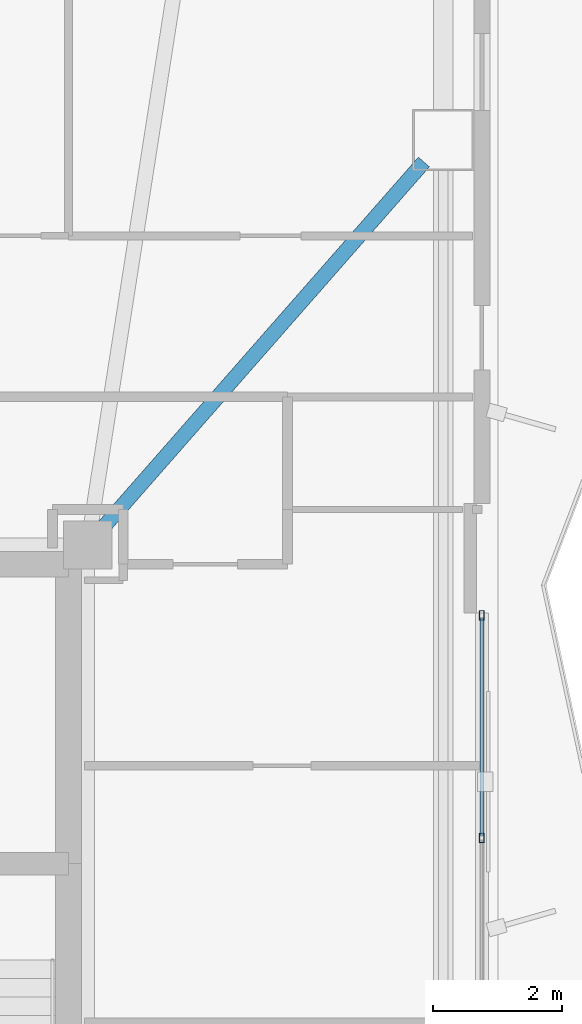
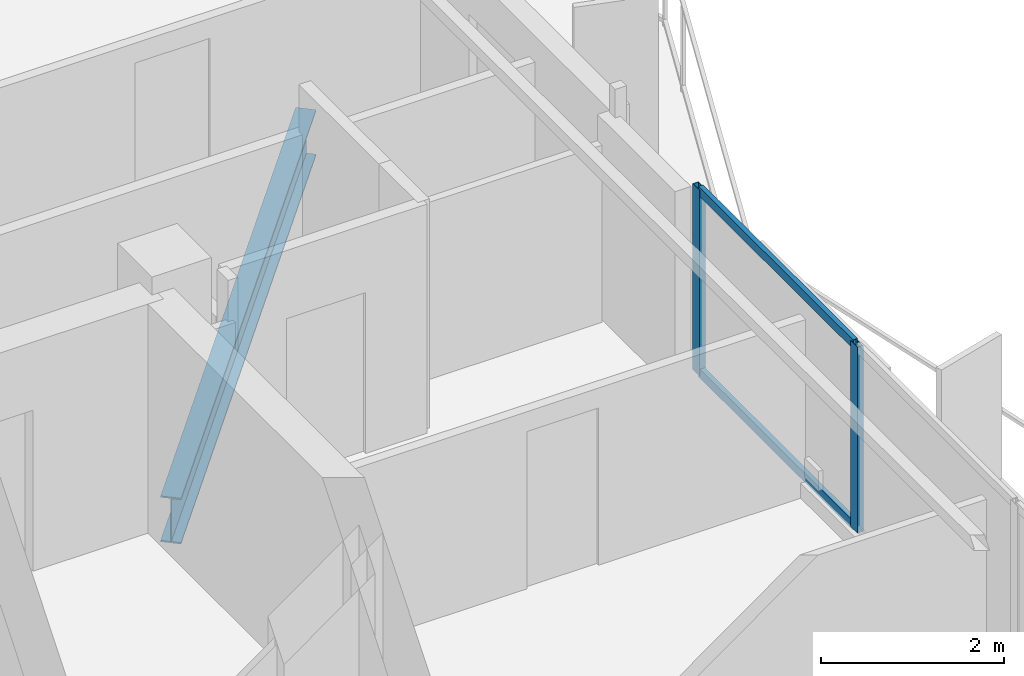
# One storey, part 9 of 18: 4 members, 1 beam, 1 element without a shape of its own.
"""IFC4 building model written with IfcOpenShell, lengths in metres."""

from ifc_helpers import new_model, si_unit, direction, frame, origin, origin_2d, place, context, subcontext, project, spatial, hollow_rectangle, i_section, extrude, material, layer, layer_set, material_profile, profile_set, type_object, element, aggregate, save


model = new_model("IFC4")

# Units and contexts
model_context = context("Model", 3, precision=1e-05, world=origin(), true_north=direction((0.0, 1.0)))
body_context = subcontext(model_context, "Body", "Model", "MODEL_VIEW")
ifc_project = project(units=[si_unit("LENGTHUNIT", "METRE"), si_unit("AREAUNIT", "SQUARE_METRE"), si_unit("VOLUMEUNIT", "CUBIC_METRE"), si_unit("PLANEANGLEUNIT", "RADIAN"), si_unit("MASSUNIT", "GRAM", prefix="KILO")], contexts=[model_context])

# Site, building, storey
site_placement = place(None, origin())
site = spatial("IfcSite", under=ifc_project, at=site_placement, CompositionType="ELEMENT")
building_placement = place(site_placement, origin())
building = spatial("IfcBuilding", under=site, at=building_placement, Name="Mersakhor Tower and Convention Hall", CompositionType="ELEMENT")
storey_placement = place(building_placement, frame((0.0, 0.0, 134.39990234375)))
storey = spatial("IfcBuildingStorey", under=building, at=storey_placement, Name="L37", CompositionType="ELEMENT", Elevation=134.39990234375)

# Beam
ifc_material_1 = material(Name="Steel S355", Category="steel")
ifc_material_profile_1 = material_profile(ifc_material_1, i_section(OverallWidth=0.22900390625, OverallDepth=0.6123046875, WebThickness=0.011962890625, FlangeThickness=0.01953125, at=origin_2d()), Name="UB 610x229x125")
ifc_profile_set_1 = profile_set([ifc_material_profile_1], Name="Steel S355")
beam_type = type_object("IfcBeamType", Name="BM-PR-610", PredefinedType="BEAM", material=ifc_profile_set_1)
beam_placement = place(storey_placement, frame((36.334228515625, 33.31689453125, -0.5458984375), z_axis=(0.65963831109, 0.751583194691, 0.0), x_axis=(-0.751583194691, 0.65963831109, 0.0)))
element("IfcBeam", 1, at=beam_placement, inside=storey, type_object=beam_type, Name="L37 Primary Floor Girder FG-3", PredefinedType="BEAM", context=body_context, shape_type="SweptSolid", body=[
    extrude(i_section(OverallWidth=0.22900390625, OverallDepth=0.6123046875, WebThickness=0.011962890625, FlangeThickness=0.01953125, at=origin_2d()), origin(), (0.0, 0.0, 1.0), 7.556884765625),
])

# Curtain wall, members
ifc_material_2 = material(Name="Dark solar low-E aluminium curtain wall", Category="aluminium")
ifc_layer = layer(ifc_material_2, 0.169921875)
ifc_layer_set = layer_set([ifc_layer], Name="Dark solar low-E aluminium curtain wall")
curtain_wall_type = type_object("IfcCurtainWallType", Name="CW-SYS-02", PredefinedType="USERDEFINED", material=ifc_layer_set)
curtain_wall_placement = place(storey_placement, origin())
curtain_wall = element("IfcCurtainWall", 2, at=curtain_wall_placement, inside=storey, type_object=curtain_wall_type, Name="L37 Dark-Glass Curtain Wall F2-B2", ObjectType="CURTAIN WALL", PredefinedType="USERDEFINED")
ifc_material_3 = material(Name="Anodised aluminium EN AW-6063 T6", Category="aluminium")
ifc_material_profile_2 = material_profile(ifc_material_3, hollow_rectangle(XDim=0.074951171875, YDim=0.14990234375, WallThickness=0.00634765625, at=origin_2d()), Name="RHS 150x75x6.3")
ifc_profile_set_2 = profile_set([ifc_material_profile_2], Name="Anodised aluminium EN AW-6063 T6")
member_type_1 = type_object("IfcMemberType", Name="CWM-150x75", PredefinedType="MULLION", material=ifc_profile_set_2)
member_1_placement = place(storey_placement, frame((42.21923828125, 31.95556640625, 0.2001953125), z_axis=(0.0, 0.0, 1.0), x_axis=(1.0, 0.0, 0.0)))
member_1 = element("IfcMember", 3, at=member_1_placement, type_object=member_type_1, Name="CW-02 mullion 1", PredefinedType="MULLION", context=body_context, shape_type="SweptSolid", body=[
    extrude(hollow_rectangle(XDim=0.074951171875, YDim=0.14990234375, WallThickness=0.00634765625, at=origin_2d()), origin(), (0.0, 0.0, 1.0), 2.47998046875),
])
member_2_placement = place(storey_placement, frame((42.21923828125, 28.49755859375, 0.2001953125), z_axis=(0.0, 0.0, 1.0), x_axis=(1.0, 0.0, 0.0)))
member_2 = element("IfcMember", 4, at=member_2_placement, type_object=member_type_1, Name="CW-02 mullion 2", PredefinedType="MULLION", context=body_context, shape_type="SweptSolid", body=[
    extrude(hollow_rectangle(XDim=0.074951171875, YDim=0.14990234375, WallThickness=0.00634765625, at=origin_2d()), origin(), (0.0, 0.0, 1.0), 2.47998046875),
])
ifc_material_4 = material(Name="Anodised aluminium EN AW-6063 T6", Category="aluminium")
ifc_material_profile_3 = material_profile(ifc_material_4, hollow_rectangle(XDim=0.06005859375, YDim=0.1201171875, WallThickness=0.0048828125, at=origin_2d()), Name="RHS 120x60x5")
ifc_profile_set_3 = profile_set([ifc_material_profile_3], Name="Anodised aluminium EN AW-6063 T6")
member_type_2 = type_object("IfcMemberType", Name="CWT-120x60", PredefinedType="USERDEFINED", material=ifc_profile_set_3)
member_3_placement = place(storey_placement, frame((42.21923828125, 31.91796875, 0.22998046875), z_axis=(0.0, -1.0, 0.0), x_axis=(1.0, 0.0, 0.0)))
member_3 = element("IfcMember", 5, at=member_3_placement, type_object=member_type_2, Name="CW-02 transom 1.1", ObjectType="TRANSOM", PredefinedType="USERDEFINED", context=body_context, shape_type="SweptSolid", body=[
    extrude(hollow_rectangle(XDim=0.06005859375, YDim=0.1201171875, WallThickness=0.0048828125, at=origin_2d()), origin(), (0.0, 0.0, 1.0), 3.3828125),
])
member_4_placement = place(storey_placement, frame((42.21923828125, 31.91796875, 2.650146484375), z_axis=(0.0, -1.0, 0.0), x_axis=(1.0, 0.0, 0.0)))
member_4 = element("IfcMember", 6, at=member_4_placement, type_object=member_type_2, Name="CW-02 transom 1.2", ObjectType="TRANSOM", PredefinedType="USERDEFINED", context=body_context, shape_type="SweptSolid", body=[
    extrude(hollow_rectangle(XDim=0.06005859375, YDim=0.1201171875, WallThickness=0.0048828125, at=origin_2d()), origin(), (0.0, 0.0, 1.0), 3.3828125),
])
aggregate(curtain_wall, [member_1, member_2, member_3, member_4])

save(model, "model.ifc")
